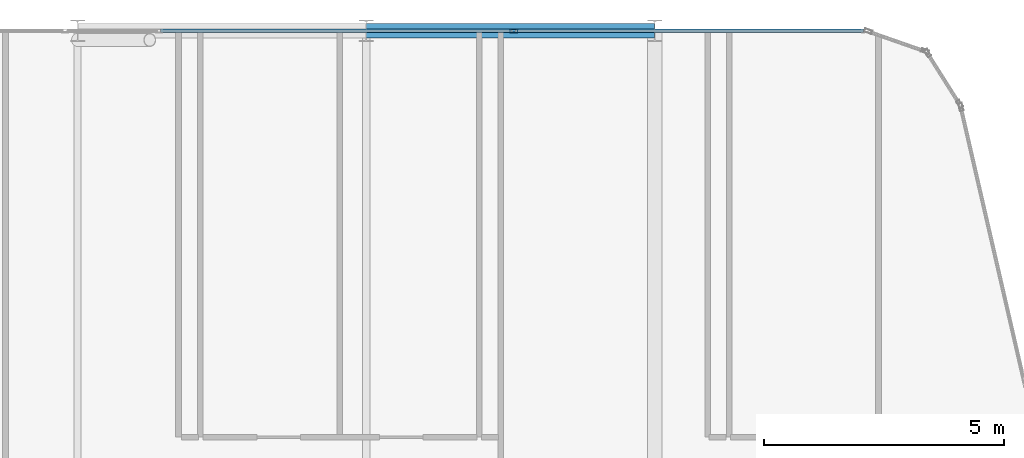
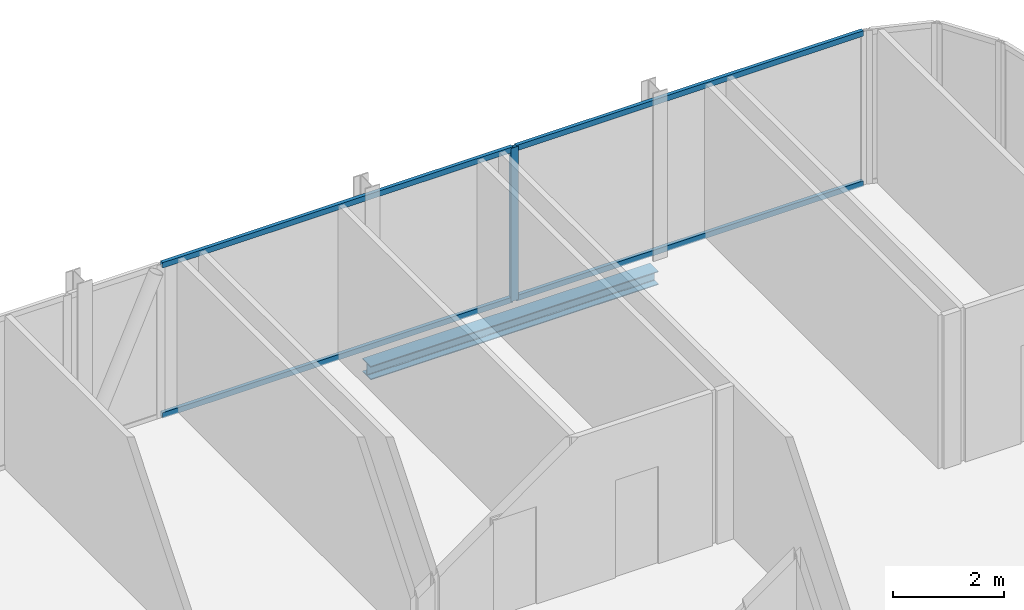
# One storey, part 19 of 29: 5 members, 1 beam, 1 element without a shape of its own.
"""IFC4 building model written with IfcOpenShell, lengths in metres."""

from ifc_helpers import new_model, si_unit, direction, frame, origin, origin_2d, place, context, subcontext, project, spatial, hollow_rectangle, i_section, extrude, material, layer, layer_set, material_profile, profile_set, type_object, element, aggregate, save


model = new_model("IFC4")

# Units and contexts
model_context = context("Model", 3, precision=1e-05, world=origin(), true_north=direction((0.0, 1.0)))
body_context = subcontext(model_context, "Body", "Model", "MODEL_VIEW")
ifc_project = project(units=[si_unit("LENGTHUNIT", "METRE"), si_unit("AREAUNIT", "SQUARE_METRE"), si_unit("VOLUMEUNIT", "CUBIC_METRE"), si_unit("PLANEANGLEUNIT", "RADIAN"), si_unit("MASSUNIT", "GRAM", prefix="KILO")], contexts=[model_context])

# Site, building, storey
site_placement = place(None, origin())
site = spatial("IfcSite", under=ifc_project, at=site_placement, CompositionType="ELEMENT")
building_placement = place(site_placement, origin())
building = spatial("IfcBuilding", under=site, at=building_placement, Name="Keshet Zoharim Tower", CompositionType="ELEMENT")
storey_placement = place(building_placement, frame((0.0, 0.0, 214.300048828125)))
storey = spatial("IfcBuildingStorey", under=building, at=storey_placement, Name="L53", CompositionType="ELEMENT", Elevation=214.300048828125)

# Beam
ifc_material_1 = material(Name="Steel S355", Category="steel")
ifc_material_profile_1 = material_profile(ifc_material_1, i_section(OverallWidth=0.300048828125, OverallDepth=0.300048828125, WebThickness=0.010986328125, FlangeThickness=0.01904296875, FilletRadius=0.027099609375, at=origin_2d()), Name="HEB300")
ifc_profile_set_1 = profile_set([ifc_material_profile_1], Name="Steel S355")
beam_type = type_object("IfcBeamType", Name="BM-PRI-HB300", PredefinedType="BEAM", material=ifc_profile_set_1)
beam_placement = place(storey_placement, frame((27.0, 53.89990234375, -0.4599609375), z_axis=(1.0, 0.0, 0.0), x_axis=(0.0, 1.0, 0.0)))
element("IfcBeam", 1, at=beam_placement, inside=storey, type_object=beam_type, Name="L53 Primary Girder X-020", PredefinedType="BEAM", context=body_context, shape_type="SweptSolid", body=[
    extrude(i_section(OverallWidth=0.300048828125, OverallDepth=0.300048828125, WebThickness=0.010986328125, FlangeThickness=0.01904296875, FilletRadius=0.027099609375, at=origin_2d()), origin(), (0.0, 0.0, 1.0), 6.0),
])

# Curtain wall, members
ifc_material_2 = material(Name="Aluminium 6063-T6", Category="aluminium")
ifc_layer = layer(ifc_material_2, 0.139892578125)
ifc_layer_set = layer_set([ifc_layer], Name="Aluminium 6063-T6")
curtain_wall_type = type_object("IfcCurtainWallType", Name="CW-SYS-05", PredefinedType="NOTDEFINED", material=ifc_layer_set)
curtain_wall_placement = place(storey_placement, origin())
curtain_wall = element("IfcCurtainWall", 2, at=curtain_wall_placement, inside=storey, type_object=curtain_wall_type, Name="L53 Unitised Curtain Wall 16 Part 3", PredefinedType="NOTDEFINED")
ifc_material_profile_2 = material_profile(ifc_material_2, hollow_rectangle(XDim=0.074951171875, YDim=0.159912109375, WallThickness=0.00390625, at=origin_2d()), Name="MUL-75x160")
ifc_profile_set_2 = profile_set([ifc_material_profile_2], Name="Aluminium 6063-T6")
member_type_1 = type_object("IfcMemberType", Name="CWM-M15", PredefinedType="MULLION", material=ifc_profile_set_2)
member_1_placement = place(storey_placement, frame((30.06689453125, 53.89990234375, 0.0), z_axis=(0.0, 0.0, 1.0), x_axis=(0.0, 1.0, 0.0)))
member_1 = element("IfcMember", 3, at=member_1_placement, type_object=member_type_1, Name="CW-05 mullion 2", PredefinedType="MULLION", context=body_context, shape_type="SweptSolid", body=[
    extrude(hollow_rectangle(XDim=0.074951171875, YDim=0.159912109375, WallThickness=0.00390625, at=origin_2d()), origin(), (0.0, 0.0, 1.0), 3.3798828125),
])
ifc_material_profile_3 = material_profile(ifc_material_2, hollow_rectangle(XDim=0.074951171875, YDim=0.1201171875, WallThickness=0.00390625, at=origin_2d()), Name="TRN-75x120")
ifc_profile_set_3 = profile_set([ifc_material_profile_3], Name="Aluminium 6063-T6")
member_type_2 = type_object("IfcMemberType", Name="CWT-T12", PredefinedType="USERDEFINED", material=ifc_profile_set_3)
member_2_placement = place(storey_placement, frame((22.724853515625, 53.89990234375, 0.034912109375), z_axis=(1.0, 0.0, 0.0), x_axis=(0.0, 1.0, 0.0)))
member_2 = element("IfcMember", 4, at=member_2_placement, type_object=member_type_2, Name="CW-05 transom 1.1", ObjectType="TRANSOM", PredefinedType="USERDEFINED", context=body_context, shape_type="SweptSolid", body=[
    extrude(hollow_rectangle(XDim=0.074951171875, YDim=0.1201171875, WallThickness=0.00390625, at=origin_2d()), origin(), (0.0, 0.0, 1.0), 7.30712890625),
])
member_3_placement = place(storey_placement, frame((22.724853515625, 53.89990234375, 3.344970703125), z_axis=(1.0, 0.0, 0.0), x_axis=(0.0, 1.0, 0.0)))
member_3 = element("IfcMember", 5, at=member_3_placement, type_object=member_type_2, Name="CW-05 transom 1.2", ObjectType="TRANSOM", PredefinedType="USERDEFINED", context=body_context, shape_type="SweptSolid", body=[
    extrude(hollow_rectangle(XDim=0.074951171875, YDim=0.1201171875, WallThickness=0.00390625, at=origin_2d()), origin(), (0.0, 0.0, 1.0), 7.30712890625),
])
member_4_placement = place(storey_placement, frame((30.101806640625, 53.89990234375, 0.034912109375), z_axis=(1.0, 0.0, 0.0), x_axis=(0.0, 1.0, 0.0)))
member_4 = element("IfcMember", 6, at=member_4_placement, type_object=member_type_2, Name="CW-05 transom 2.1", ObjectType="TRANSOM", PredefinedType="USERDEFINED", context=body_context, shape_type="SweptSolid", body=[
    extrude(hollow_rectangle(XDim=0.074951171875, YDim=0.1201171875, WallThickness=0.00390625, at=origin_2d()), origin(), (0.0, 0.0, 1.0), 7.2373046875),
])
member_5_placement = place(storey_placement, frame((30.101806640625, 53.89990234375, 3.344970703125), z_axis=(1.0, 0.0, 0.0), x_axis=(0.0, 1.0, 0.0)))
member_5 = element("IfcMember", 7, at=member_5_placement, type_object=member_type_2, Name="CW-05 transom 2.2", ObjectType="TRANSOM", PredefinedType="USERDEFINED", context=body_context, shape_type="SweptSolid", body=[
    extrude(hollow_rectangle(XDim=0.074951171875, YDim=0.1201171875, WallThickness=0.00390625, at=origin_2d()), origin(), (0.0, 0.0, 1.0), 7.2373046875),
])
aggregate(curtain_wall, [member_1, member_2, member_3, member_4, member_5])

save(model, "model.ifc")
